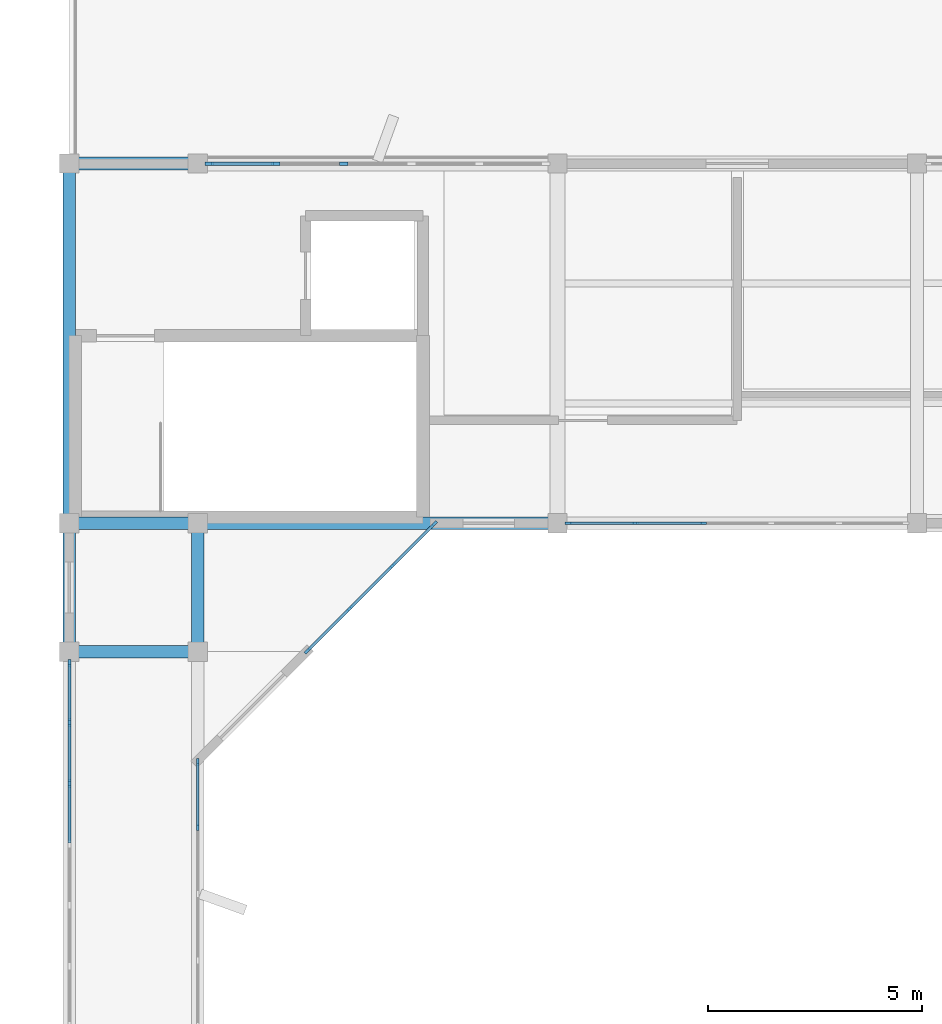
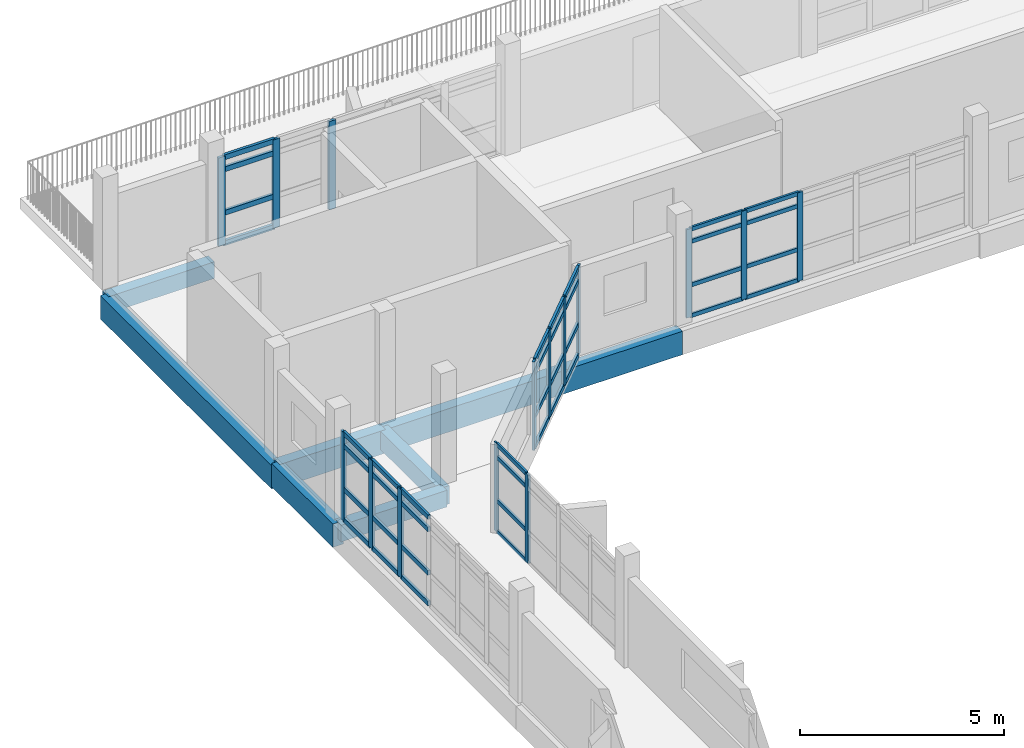
# One storey, part 7 of 33: 55 members, 7 beams, 5 elements without a shape of their own.
"""IFC4 building model written with IfcOpenShell, lengths in metres."""

from ifc_helpers import new_model, si_unit, direction, frame, origin, origin_2d, place, context, subcontext, project, spatial, rectangle, extrude, material, material_profile, profile_set, type_object, element, aggregate, save


model = new_model("IFC4")

# Units and contexts
model_context = context("Model", 3, precision=1e-05, world=origin(), true_north=direction((0.0, 1.0)))
body_context = subcontext(model_context, "Body", "Model", "MODEL_VIEW")
ifc_project = project(units=[si_unit("LENGTHUNIT", "METRE"), si_unit("AREAUNIT", "SQUARE_METRE"), si_unit("VOLUMEUNIT", "CUBIC_METRE"), si_unit("PLANEANGLEUNIT", "RADIAN"), si_unit("MASSUNIT", "GRAM", prefix="KILO")], contexts=[model_context])

# Site, building, storey
site_placement = place(None, origin())
site = spatial("IfcSite", under=ifc_project, at=site_placement, CompositionType="ELEMENT")
building_placement = place(site_placement, origin())
building = spatial("IfcBuilding", under=site, at=building_placement, Name="Vanh Quang Courtyard School", CompositionType="ELEMENT")
storey_placement = place(building_placement, frame((0.0, 0.0, 18.60009765625)))
storey = spatial("IfcBuildingStorey", under=building, at=storey_placement, Name="L05", CompositionType="ELEMENT", Elevation=18.60009765625)

# Beams
ifc_material_1 = material(Name="Concrete C35/45", Category="concrete")
ifc_material_profile_1 = material_profile(ifc_material_1, rectangle(XDim=0.300048828125, YDim=0.5, at=origin_2d()), Name="RC-BM 300x500")
ifc_profile_set_1 = profile_set([ifc_material_profile_1], Name="Concrete C35/45")
beam_type_1 = type_object("IfcBeamType", Name="BM-RC-300x500", PredefinedType="BEAM", material=ifc_profile_set_1)
for number, where, z_axis, x_axis, name in (
    (1, (37.800048828125, 68.39990234375, -0.5), (1.0, 0.0, 0.0), (0.0, 1.0, 0.0), "Beam B-08 (L05)"),
    (2, (37.800048828125, 79.800048828125, -0.570068359375), (1.0, 0.0, 0.0), (0.0, 1.0, 0.0), "Beam B-08 (L05)"),
):
    element("IfcBeam", number, at=place(storey_placement, frame(where, z_axis=z_axis, x_axis=x_axis)), inside=storey, type_object=beam_type_1, Name=name, PredefinedType="BEAM", context=body_context, shape_type="SweptSolid", body=[
        extrude(rectangle(XDim=0.300048828125, YDim=0.5, at=origin_2d()), origin(), (0.0, 0.0, 1.0), 3.0),
    ])
ifc_material_profile_2 = material_profile(ifc_material_1, rectangle(XDim=0.300048828125, YDim=0.550048828125, at=origin_2d()), Name="RC-BM 300x550")
ifc_profile_set_2 = profile_set([ifc_material_profile_2], Name="Concrete C35/45")
beam_type_2 = type_object("IfcBeamType", Name="BM-RC-300x550", PredefinedType="BEAM", material=ifc_profile_set_2)
beam_1_placement = place(storey_placement, frame((40.800048828125, 68.39990234375, -0.525146484375), z_axis=(0.0, 1.0, 0.0), x_axis=(-1.0, 0.0, 0.0)))
element("IfcBeam", 3, at=beam_1_placement, inside=storey, type_object=beam_type_2, Name="Beam B-07 (L05)", PredefinedType="BEAM", context=body_context, shape_type="SweptSolid", body=[
    extrude(rectangle(XDim=0.300048828125, YDim=0.550048828125, at=origin_2d()), origin(), (0.0, 0.0, 1.0), 3.0),
])
ifc_material_profile_3 = material_profile(ifc_material_1, rectangle(XDim=0.300048828125, YDim=0.699951171875, at=origin_2d()), Name="RC-SP 300x700")
ifc_profile_set_3 = profile_set([ifc_material_profile_3], Name="Concrete C35/45")
beam_type_3 = type_object("IfcBeamType", Name="BM-SP-300x700", PredefinedType="SPANDREL", material=ifc_profile_set_3)
beam_2_placement = place(storey_placement, frame((37.800048828125, 71.39990234375, -0.60009765625), z_axis=(1.0, 0.0, 0.0), x_axis=(0.0, 1.0, 0.0)))
element("IfcBeam", 4, at=beam_2_placement, inside=storey, type_object=beam_type_3, Name="Beam BS-01 (L05)", PredefinedType="SPANDREL", context=body_context, shape_type="SweptSolid", body=[
    extrude(rectangle(XDim=0.300048828125, YDim=0.699951171875, at=origin_2d()), origin(), (0.0, 0.0, 1.0), 3.0),
])
beam_3_placement = place(storey_placement, frame((40.800048828125, 71.39990234375, -0.60009765625), z_axis=(1.0, 0.0, 0.0), x_axis=(0.0, 1.0, 0.0)))
element("IfcBeam", 5, at=beam_3_placement, inside=storey, type_object=beam_type_3, Name="Beam BS-01 (L05)", PredefinedType="SPANDREL", context=body_context, shape_type="SweptSolid", body=[
    extrude(rectangle(XDim=0.300048828125, YDim=0.699951171875, at=origin_2d()), origin(), (0.0, 0.0, 1.0), 8.39990234375),
])
beam_4_placement = place(storey_placement, frame((37.800048828125, 68.39990234375, -0.60009765625), z_axis=(0.0, 1.0, 0.0), x_axis=(-1.0, 0.0, 0.0)))
element("IfcBeam", 6, at=beam_4_placement, inside=storey, type_object=beam_type_3, Name="Beam BS-01 (L05)", PredefinedType="SPANDREL", context=body_context, shape_type="SweptSolid", body=[
    extrude(rectangle(XDim=0.300048828125, YDim=0.699951171875, at=origin_2d()), origin(), (0.0, 0.0, 1.0), 3.0),
])
beam_5_placement = place(storey_placement, frame((37.800048828125, 71.39990234375, -0.670166015625), z_axis=(0.0, 1.0, 0.0), x_axis=(-1.0, 0.0, 0.0)))
element("IfcBeam", 7, at=beam_5_placement, inside=storey, type_object=beam_type_3, Name="Beam BS-01 (L05)", PredefinedType="SPANDREL", context=body_context, shape_type="SweptSolid", body=[
    extrude(rectangle(XDim=0.300048828125, YDim=0.699951171875, at=origin_2d()), origin(), (0.0, 0.0, 1.0), 8.400146484375),
])

# Curtain wall, members
ifc_material_2 = material(Name="Thermally broken aluminium unitised curtain wall", Category="aluminium")
curtain_wall_type_1 = type_object("IfcCurtainWallType", Name="CW-SYS-44", PredefinedType="NOTDEFINED", material=ifc_material_2)
curtain_wall_1_placement = place(storey_placement, origin())
curtain_wall_1 = element("IfcCurtainWall", 8, at=curtain_wall_1_placement, inside=storey, type_object=curtain_wall_type_1, Name="Curtain Wall CW-44 (L05)", PredefinedType="NOTDEFINED")
ifc_material_3 = material(Name="Anodised aluminium 6063-T6", Category="aluminium")
ifc_material_profile_4 = material_profile(ifc_material_3, rectangle(XDim=0.06005859375, YDim=0.159912109375, at=origin_2d()), Name="ALU-MUL 60x160")
ifc_profile_set_4 = profile_set([ifc_material_profile_4], Name="Anodised aluminium 6063-T6")
member_type_1 = type_object("IfcMemberType", Name="CW-MUL-60x160", PredefinedType="MULLION", material=ifc_profile_set_4)
member_1_placement = place(storey_placement, frame((40.800048828125, 65.825927734375, 0.0), z_axis=(0.0, 0.0, 1.0), x_axis=(1.0, 0.0, 0.0)))
member_1 = element("IfcMember", 9, at=member_1_placement, type_object=member_type_1, Name="CW-44 mullion 1", PredefinedType="MULLION", context=body_context, shape_type="SweptSolid", body=[
    extrude(rectangle(XDim=0.06005859375, YDim=0.159912109375, at=origin_2d()), origin(), (0.0, 0.0, 1.0), 2.64990234375),
])
member_2_placement = place(storey_placement, frame((40.800048828125, 64.30029296875, 0.0), z_axis=(0.0, 0.0, 1.0), x_axis=(1.0, 0.0, 0.0)))
member_2 = element("IfcMember", 10, at=member_2_placement, type_object=member_type_1, Name="CW-44 mullion 2", PredefinedType="MULLION", context=body_context, shape_type="SweptSolid", body=[
    extrude(rectangle(XDim=0.06005859375, YDim=0.159912109375, at=origin_2d()), origin(), (0.0, 0.0, 1.0), 2.64990234375),
])

curtain_wall_type_2 = type_object("IfcCurtainWallType", Name="CW-SYS-19", PredefinedType="NOTDEFINED", material=ifc_material_2)
curtain_wall_2_placement = place(storey_placement, origin())
curtain_wall_2 = element("IfcCurtainWall", 11, at=curtain_wall_2_placement, inside=storey, type_object=curtain_wall_type_2, Name="Curtain Wall CW-19 (L05)", PredefinedType="NOTDEFINED")
member_3_placement = place(storey_placement, frame((52.606689453125, 71.39990234375, 0.0), z_axis=(0.0, 0.0, 1.0), x_axis=(0.0, -1.0, 0.0)))
member_3 = element("IfcMember", 12, at=member_3_placement, type_object=member_type_1, Name="CW-19 mullion 4", PredefinedType="MULLION", context=body_context, shape_type="SweptSolid", body=[
    extrude(rectangle(XDim=0.06005859375, YDim=0.159912109375, at=origin_2d()), origin(), (0.0, 0.0, 1.0), 2.64990234375),
])
member_4_placement = place(storey_placement, frame((51.019775390625, 71.39990234375, 0.0), z_axis=(0.0, 0.0, 1.0), x_axis=(0.0, -1.0, 0.0)))
member_4 = element("IfcMember", 13, at=member_4_placement, type_object=member_type_1, Name="CW-19 mullion 5", PredefinedType="MULLION", context=body_context, shape_type="SweptSolid", body=[
    extrude(rectangle(XDim=0.06005859375, YDim=0.159912109375, at=origin_2d()), origin(), (0.0, 0.0, 1.0), 2.64990234375),
])
member_5_placement = place(storey_placement, frame((49.462890625, 71.39990234375, 0.0), z_axis=(0.0, 0.0, 1.0), x_axis=(0.0, -1.0, 0.0)))
member_5 = element("IfcMember", 14, at=member_5_placement, type_object=member_type_1, Name="CW-19 mullion 6", PredefinedType="MULLION", context=body_context, shape_type="SweptSolid", body=[
    extrude(rectangle(XDim=0.06005859375, YDim=0.159912109375, at=origin_2d()), origin(), (0.0, 0.0, 1.0), 2.64990234375),
])

curtain_wall_type_3 = type_object("IfcCurtainWallType", Name="CW-SYS-50", PredefinedType="NOTDEFINED", material=ifc_material_2)
curtain_wall_3_placement = place(storey_placement, origin())
curtain_wall_3 = element("IfcCurtainWall", 15, at=curtain_wall_3_placement, inside=storey, type_object=curtain_wall_type_3, Name="Curtain Wall CW-50 (L05)", PredefinedType="NOTDEFINED")
ifc_material_profile_5 = material_profile(ifc_material_3, rectangle(XDim=0.070068359375, YDim=0.179931640625, at=origin_2d()), Name="ALU-MUL 70x180")
ifc_profile_set_5 = profile_set([ifc_material_profile_5], Name="Anodised aluminium 6063-T6")
member_type_2 = type_object("IfcMemberType", Name="CW-MUL-70x180", PredefinedType="MULLION", material=ifc_profile_set_5)
member_6_placement = place(storey_placement, frame((37.800048828125, 65.322265625, 0.0), z_axis=(0.0, 0.0, 1.0), x_axis=(-1.0, 0.0, 0.0)))
member_6 = element("IfcMember", 16, at=member_6_placement, type_object=member_type_2, Name="CW-50 mullion 5", PredefinedType="MULLION", context=body_context, shape_type="SweptSolid", body=[
    extrude(rectangle(XDim=0.070068359375, YDim=0.179931640625, at=origin_2d()), origin(), (0.0, 0.0, 1.0), 2.64990234375),
])
member_7_placement = place(storey_placement, frame((37.800048828125, 66.74462890625, 0.0), z_axis=(0.0, 0.0, 1.0), x_axis=(-1.0, 0.0, 0.0)))
member_7 = element("IfcMember", 17, at=member_7_placement, type_object=member_type_2, Name="CW-50 mullion 6", PredefinedType="MULLION", context=body_context, shape_type="SweptSolid", body=[
    extrude(rectangle(XDim=0.070068359375, YDim=0.179931640625, at=origin_2d()), origin(), (0.0, 0.0, 1.0), 2.64990234375),
])
member_8_placement = place(storey_placement, frame((37.800048828125, 68.132080078125, 0.0), z_axis=(0.0, 0.0, 1.0), x_axis=(-1.0, 0.0, 0.0)))
member_8 = element("IfcMember", 18, at=member_8_placement, type_object=member_type_2, Name="CW-50 mullion 7", PredefinedType="MULLION", context=body_context, shape_type="SweptSolid", body=[
    extrude(rectangle(XDim=0.070068359375, YDim=0.179931640625, at=origin_2d()), origin(), (0.0, 0.0, 1.0), 2.64990234375),
])

curtain_wall_type_4 = type_object("IfcCurtainWallType", Name="CW-SYS-39", PredefinedType="NOTDEFINED", material=ifc_material_2)
curtain_wall_4_placement = place(storey_placement, origin())
curtain_wall_4 = element("IfcCurtainWall", 19, at=curtain_wall_4_placement, inside=storey, type_object=curtain_wall_type_4, Name="Curtain Wall CW-39 (L05)", PredefinedType="NOTDEFINED")
member_9_placement = place(storey_placement, frame((46.3193359375, 71.375244140625, 0.0), z_axis=(0.0, 0.0, 1.0), x_axis=(0.707106781187, -0.707106781187, 0.0)))
member_9 = element("IfcMember", 20, at=member_9_placement, type_object=member_type_2, Name="CW-39 mullion 1", PredefinedType="MULLION", context=body_context, shape_type="SweptSolid", body=[
    extrude(rectangle(XDim=0.070068359375, YDim=0.179931640625, at=origin_2d()), origin(), (0.0, 0.0, 1.0), 2.64990234375),
])
member_10_placement = place(storey_placement, frame((45.343994140625, 70.39990234375, 0.0), z_axis=(0.0, 0.0, 1.0), x_axis=(0.707106781187, -0.707106781187, 0.0)))
member_10 = element("IfcMember", 21, at=member_10_placement, type_object=member_type_2, Name="CW-39 mullion 2", PredefinedType="MULLION", context=body_context, shape_type="SweptSolid", body=[
    extrude(rectangle(XDim=0.070068359375, YDim=0.179931640625, at=origin_2d()), origin(), (0.0, 0.0, 1.0), 2.64990234375),
])
member_11_placement = place(storey_placement, frame((44.343994140625, 69.39990234375, 0.0), z_axis=(0.0, 0.0, 1.0), x_axis=(0.707106781187, -0.707106781187, 0.0)))
member_11 = element("IfcMember", 22, at=member_11_placement, type_object=member_type_2, Name="CW-39 mullion 3", PredefinedType="MULLION", context=body_context, shape_type="SweptSolid", body=[
    extrude(rectangle(XDim=0.070068359375, YDim=0.179931640625, at=origin_2d()), origin(), (0.0, 0.0, 1.0), 2.64990234375),
])
member_12_placement = place(storey_placement, frame((43.36865234375, 68.4248046875, 0.0), z_axis=(0.0, 0.0, 1.0), x_axis=(0.707106781187, -0.707106781187, 0.0)))
member_12 = element("IfcMember", 23, at=member_12_placement, type_object=member_type_2, Name="CW-39 mullion 4", PredefinedType="MULLION", context=body_context, shape_type="SweptSolid", body=[
    extrude(rectangle(XDim=0.070068359375, YDim=0.179931640625, at=origin_2d()), origin(), (0.0, 0.0, 1.0), 2.64990234375),
])

curtain_wall_5_placement = place(storey_placement, origin())
curtain_wall_5 = element("IfcCurtainWall", 24, at=curtain_wall_5_placement, inside=storey, type_object=curtain_wall_type_2, Name="Curtain Wall CW-19 (L05)", PredefinedType="NOTDEFINED")
ifc_material_profile_6 = material_profile(ifc_material_3, rectangle(XDim=0.080078125, YDim=0.199951171875, at=origin_2d()), Name="ALU-MUL 80x200")
ifc_profile_set_6 = profile_set([ifc_material_profile_6], Name="Anodised aluminium 6063-T6")
member_type_3 = type_object("IfcMemberType", Name="CW-MUL-80x200", PredefinedType="MULLION", material=ifc_profile_set_6)
member_13_placement = place(storey_placement, frame((41.072998046875, 79.800048828125, 0.0), z_axis=(0.0, 0.0, 1.0), x_axis=(0.0, 1.0, 0.0)))
member_13 = element("IfcMember", 25, at=member_13_placement, type_object=member_type_3, Name="CW-19 mullion 1", PredefinedType="MULLION", context=body_context, shape_type="SweptSolid", body=[
    extrude(rectangle(XDim=0.080078125, YDim=0.199951171875, at=origin_2d()), origin(), (0.0, 0.0, 1.0), 2.64990234375),
])
member_14_placement = place(storey_placement, frame((42.619873046875, 79.800048828125, 0.0), z_axis=(0.0, 0.0, 1.0), x_axis=(0.0, 1.0, 0.0)))
member_14 = element("IfcMember", 26, at=member_14_placement, type_object=member_type_3, Name="CW-19 mullion 2", PredefinedType="MULLION", context=body_context, shape_type="SweptSolid", body=[
    extrude(rectangle(XDim=0.080078125, YDim=0.199951171875, at=origin_2d()), origin(), (0.0, 0.0, 1.0), 2.64990234375),
])
member_15_placement = place(storey_placement, frame((44.20654296875, 79.800048828125, 0.0), z_axis=(0.0, 0.0, 1.0), x_axis=(0.0, 1.0, 0.0)))
member_15 = element("IfcMember", 27, at=member_15_placement, type_object=member_type_3, Name="CW-19 mullion 3", PredefinedType="MULLION", context=body_context, shape_type="SweptSolid", body=[
    extrude(rectangle(XDim=0.080078125, YDim=0.199951171875, at=origin_2d()), origin(), (0.0, 0.0, 1.0), 2.64990234375),
])

# Member
ifc_material_profile_7 = material_profile(ifc_material_3, rectangle(XDim=0.06005859375, YDim=0.1201171875, at=origin_2d()), Name="ALU-TRN 60x120")
ifc_profile_set_7 = profile_set([ifc_material_profile_7], Name="Anodised aluminium 6063-T6")
member_type_4 = type_object("IfcMemberType", Name="CW-TRN-60x120", PredefinedType="USERDEFINED", material=ifc_profile_set_7)
member_16_placement = place(storey_placement, frame((40.800048828125, 65.7958984375, 0.02978515625), z_axis=(0.0, -1.0, 0.0), x_axis=(1.0, 0.0, 0.0)))
member_16 = element("IfcMember", 28, at=member_16_placement, type_object=member_type_4, Name="CW-44 transom 1.1", ObjectType="TRANSOM", PredefinedType="USERDEFINED", context=body_context, shape_type="SweptSolid", body=[
    extrude(rectangle(XDim=0.06005859375, YDim=0.1201171875, at=origin_2d()), origin(), (0.0, 0.0, 1.0), 1.465576171875),
])

member_17_placement = place(storey_placement, frame((40.800048828125, 65.7958984375, 0.949951171875), z_axis=(0.0, -1.0, 0.0), x_axis=(1.0, 0.0, 0.0)))
member_17 = element("IfcMember", 29, at=member_17_placement, type_object=member_type_4, Name="CW-44 transom 1.2", ObjectType="TRANSOM", PredefinedType="USERDEFINED", context=body_context, shape_type="SweptSolid", body=[
    extrude(rectangle(XDim=0.06005859375, YDim=0.1201171875, at=origin_2d()), origin(), (0.0, 0.0, 1.0), 1.465576171875),
])

member_18_placement = place(storey_placement, frame((40.800048828125, 65.7958984375, 2.25), z_axis=(0.0, -1.0, 0.0), x_axis=(1.0, 0.0, 0.0)))
member_18 = element("IfcMember", 30, at=member_18_placement, type_object=member_type_4, Name="CW-44 transom 1.3", ObjectType="TRANSOM", PredefinedType="USERDEFINED", context=body_context, shape_type="SweptSolid", body=[
    extrude(rectangle(XDim=0.06005859375, YDim=0.1201171875, at=origin_2d()), origin(), (0.0, 0.0, 1.0), 1.465576171875),
])

member_19_placement = place(storey_placement, frame((40.800048828125, 65.7958984375, 2.619873046875), z_axis=(0.0, -1.0, 0.0), x_axis=(1.0, 0.0, 0.0)))
member_19 = element("IfcMember", 31, at=member_19_placement, type_object=member_type_4, Name="CW-44 transom 1.4", ObjectType="TRANSOM", PredefinedType="USERDEFINED", context=body_context, shape_type="SweptSolid", body=[
    extrude(rectangle(XDim=0.06005859375, YDim=0.1201171875, at=origin_2d()), origin(), (0.0, 0.0, 1.0), 1.465576171875),
])

aggregate(curtain_wall_1, [member_1, member_2, member_16, member_17, member_18, member_19])

member_20_placement = place(storey_placement, frame((52.57666015625, 71.39990234375, 0.02978515625), z_axis=(-1.0, 0.0, 0.0), x_axis=(0.0, -1.0, 0.0)))
member_20 = element("IfcMember", 32, at=member_20_placement, type_object=member_type_4, Name="CW-19 transom 4.1", ObjectType="TRANSOM", PredefinedType="USERDEFINED", context=body_context, shape_type="SweptSolid", body=[
    extrude(rectangle(XDim=0.06005859375, YDim=0.1201171875, at=origin_2d()), origin(), (0.0, 0.0, 1.0), 1.52685546875),
])

member_21_placement = place(storey_placement, frame((52.57666015625, 71.39990234375, 0.949951171875), z_axis=(-1.0, 0.0, 0.0), x_axis=(0.0, -1.0, 0.0)))
member_21 = element("IfcMember", 33, at=member_21_placement, type_object=member_type_4, Name="CW-19 transom 4.2", ObjectType="TRANSOM", PredefinedType="USERDEFINED", context=body_context, shape_type="SweptSolid", body=[
    extrude(rectangle(XDim=0.06005859375, YDim=0.1201171875, at=origin_2d()), origin(), (0.0, 0.0, 1.0), 1.52685546875),
])

member_22_placement = place(storey_placement, frame((52.57666015625, 71.39990234375, 2.25), z_axis=(-1.0, 0.0, 0.0), x_axis=(0.0, -1.0, 0.0)))
member_22 = element("IfcMember", 34, at=member_22_placement, type_object=member_type_4, Name="CW-19 transom 4.3", ObjectType="TRANSOM", PredefinedType="USERDEFINED", context=body_context, shape_type="SweptSolid", body=[
    extrude(rectangle(XDim=0.06005859375, YDim=0.1201171875, at=origin_2d()), origin(), (0.0, 0.0, 1.0), 1.52685546875),
])

member_23_placement = place(storey_placement, frame((52.57666015625, 71.39990234375, 2.619873046875), z_axis=(-1.0, 0.0, 0.0), x_axis=(0.0, -1.0, 0.0)))
member_23 = element("IfcMember", 35, at=member_23_placement, type_object=member_type_4, Name="CW-19 transom 4.4", ObjectType="TRANSOM", PredefinedType="USERDEFINED", context=body_context, shape_type="SweptSolid", body=[
    extrude(rectangle(XDim=0.06005859375, YDim=0.1201171875, at=origin_2d()), origin(), (0.0, 0.0, 1.0), 1.52685546875),
])

member_24_placement = place(storey_placement, frame((50.98974609375, 71.39990234375, 0.02978515625), z_axis=(-1.0, 0.0, 0.0), x_axis=(0.0, -1.0, 0.0)))
member_24 = element("IfcMember", 36, at=member_24_placement, type_object=member_type_4, Name="CW-19 transom 5.1", ObjectType="TRANSOM", PredefinedType="USERDEFINED", context=body_context, shape_type="SweptSolid", body=[
    extrude(rectangle(XDim=0.06005859375, YDim=0.1201171875, at=origin_2d()), origin(), (0.0, 0.0, 1.0), 1.496826171875),
])

member_25_placement = place(storey_placement, frame((50.98974609375, 71.39990234375, 0.949951171875), z_axis=(-1.0, 0.0, 0.0), x_axis=(0.0, -1.0, 0.0)))
member_25 = element("IfcMember", 37, at=member_25_placement, type_object=member_type_4, Name="CW-19 transom 5.2", ObjectType="TRANSOM", PredefinedType="USERDEFINED", context=body_context, shape_type="SweptSolid", body=[
    extrude(rectangle(XDim=0.06005859375, YDim=0.1201171875, at=origin_2d()), origin(), (0.0, 0.0, 1.0), 1.496826171875),
])

member_26_placement = place(storey_placement, frame((50.98974609375, 71.39990234375, 2.25), z_axis=(-1.0, 0.0, 0.0), x_axis=(0.0, -1.0, 0.0)))
member_26 = element("IfcMember", 38, at=member_26_placement, type_object=member_type_4, Name="CW-19 transom 5.3", ObjectType="TRANSOM", PredefinedType="USERDEFINED", context=body_context, shape_type="SweptSolid", body=[
    extrude(rectangle(XDim=0.06005859375, YDim=0.1201171875, at=origin_2d()), origin(), (0.0, 0.0, 1.0), 1.496826171875),
])

member_27_placement = place(storey_placement, frame((50.98974609375, 71.39990234375, 2.619873046875), z_axis=(-1.0, 0.0, 0.0), x_axis=(0.0, -1.0, 0.0)))
member_27 = element("IfcMember", 39, at=member_27_placement, type_object=member_type_4, Name="CW-19 transom 5.4", ObjectType="TRANSOM", PredefinedType="USERDEFINED", context=body_context, shape_type="SweptSolid", body=[
    extrude(rectangle(XDim=0.06005859375, YDim=0.1201171875, at=origin_2d()), origin(), (0.0, 0.0, 1.0), 1.496826171875),
])

aggregate(curtain_wall_2, [member_3, member_4, member_5, member_20, member_21, member_22, member_23, member_24, member_25, member_26, member_27])

ifc_material_profile_8 = material_profile(ifc_material_3, rectangle(XDim=0.070068359375, YDim=0.139892578125, at=origin_2d()), Name="ALU-TRN 70x140")
ifc_profile_set_8 = profile_set([ifc_material_profile_8], Name="Anodised aluminium 6063-T6")
member_type_5 = type_object("IfcMemberType", Name="CW-TRN-70x140", PredefinedType="USERDEFINED", material=ifc_profile_set_8)
member_28_placement = place(storey_placement, frame((37.800048828125, 63.93505859375, 0.034912109375), z_axis=(0.0, 1.0, 0.0), x_axis=(-1.0, 0.0, 0.0)))
member_28 = element("IfcMember", 40, at=member_28_placement, type_object=member_type_5, Name="CW-50 transom 4.1", ObjectType="TRANSOM", PredefinedType="USERDEFINED", context=body_context, shape_type="SweptSolid", body=[
    extrude(rectangle(XDim=0.070068359375, YDim=0.139892578125, at=origin_2d()), origin(), (0.0, 0.0, 1.0), 1.352294921875),
])

member_29_placement = place(storey_placement, frame((37.800048828125, 63.93505859375, 0.949951171875), z_axis=(0.0, 1.0, 0.0), x_axis=(-1.0, 0.0, 0.0)))
member_29 = element("IfcMember", 41, at=member_29_placement, type_object=member_type_5, Name="CW-50 transom 4.2", ObjectType="TRANSOM", PredefinedType="USERDEFINED", context=body_context, shape_type="SweptSolid", body=[
    extrude(rectangle(XDim=0.070068359375, YDim=0.139892578125, at=origin_2d()), origin(), (0.0, 0.0, 1.0), 1.352294921875),
])

member_30_placement = place(storey_placement, frame((37.800048828125, 63.93505859375, 2.25), z_axis=(0.0, 1.0, 0.0), x_axis=(-1.0, 0.0, 0.0)))
member_30 = element("IfcMember", 42, at=member_30_placement, type_object=member_type_5, Name="CW-50 transom 4.3", ObjectType="TRANSOM", PredefinedType="USERDEFINED", context=body_context, shape_type="SweptSolid", body=[
    extrude(rectangle(XDim=0.070068359375, YDim=0.139892578125, at=origin_2d()), origin(), (0.0, 0.0, 1.0), 1.352294921875),
])

member_31_placement = place(storey_placement, frame((37.800048828125, 63.93505859375, 2.614990234375), z_axis=(0.0, 1.0, 0.0), x_axis=(-1.0, 0.0, 0.0)))
member_31 = element("IfcMember", 43, at=member_31_placement, type_object=member_type_5, Name="CW-50 transom 4.4", ObjectType="TRANSOM", PredefinedType="USERDEFINED", context=body_context, shape_type="SweptSolid", body=[
    extrude(rectangle(XDim=0.070068359375, YDim=0.139892578125, at=origin_2d()), origin(), (0.0, 0.0, 1.0), 1.352294921875),
])

member_32_placement = place(storey_placement, frame((37.800048828125, 65.357421875, 0.034912109375), z_axis=(0.0, 1.0, 0.0), x_axis=(-1.0, 0.0, 0.0)))
member_32 = element("IfcMember", 44, at=member_32_placement, type_object=member_type_5, Name="CW-50 transom 5.1", ObjectType="TRANSOM", PredefinedType="USERDEFINED", context=body_context, shape_type="SweptSolid", body=[
    extrude(rectangle(XDim=0.070068359375, YDim=0.139892578125, at=origin_2d()), origin(), (0.0, 0.0, 1.0), 1.352294921875),
])

member_33_placement = place(storey_placement, frame((37.800048828125, 65.357421875, 0.949951171875), z_axis=(0.0, 1.0, 0.0), x_axis=(-1.0, 0.0, 0.0)))
member_33 = element("IfcMember", 45, at=member_33_placement, type_object=member_type_5, Name="CW-50 transom 5.2", ObjectType="TRANSOM", PredefinedType="USERDEFINED", context=body_context, shape_type="SweptSolid", body=[
    extrude(rectangle(XDim=0.070068359375, YDim=0.139892578125, at=origin_2d()), origin(), (0.0, 0.0, 1.0), 1.352294921875),
])

member_34_placement = place(storey_placement, frame((37.800048828125, 65.357421875, 2.25), z_axis=(0.0, 1.0, 0.0), x_axis=(-1.0, 0.0, 0.0)))
member_34 = element("IfcMember", 46, at=member_34_placement, type_object=member_type_5, Name="CW-50 transom 5.3", ObjectType="TRANSOM", PredefinedType="USERDEFINED", context=body_context, shape_type="SweptSolid", body=[
    extrude(rectangle(XDim=0.070068359375, YDim=0.139892578125, at=origin_2d()), origin(), (0.0, 0.0, 1.0), 1.352294921875),
])

member_35_placement = place(storey_placement, frame((37.800048828125, 65.357421875, 2.614990234375), z_axis=(0.0, 1.0, 0.0), x_axis=(-1.0, 0.0, 0.0)))
member_35 = element("IfcMember", 47, at=member_35_placement, type_object=member_type_5, Name="CW-50 transom 5.4", ObjectType="TRANSOM", PredefinedType="USERDEFINED", context=body_context, shape_type="SweptSolid", body=[
    extrude(rectangle(XDim=0.070068359375, YDim=0.139892578125, at=origin_2d()), origin(), (0.0, 0.0, 1.0), 1.352294921875),
])

member_36_placement = place(storey_placement, frame((37.800048828125, 66.77978515625, 0.034912109375), z_axis=(0.0, 1.0, 0.0), x_axis=(-1.0, 0.0, 0.0)))
member_36 = element("IfcMember", 48, at=member_36_placement, type_object=member_type_5, Name="CW-50 transom 6.1", ObjectType="TRANSOM", PredefinedType="USERDEFINED", context=body_context, shape_type="SweptSolid", body=[
    extrude(rectangle(XDim=0.070068359375, YDim=0.139892578125, at=origin_2d()), origin(), (0.0, 0.0, 1.0), 1.317138671875),
])

member_37_placement = place(storey_placement, frame((37.800048828125, 66.77978515625, 0.949951171875), z_axis=(0.0, 1.0, 0.0), x_axis=(-1.0, 0.0, 0.0)))
member_37 = element("IfcMember", 49, at=member_37_placement, type_object=member_type_5, Name="CW-50 transom 6.2", ObjectType="TRANSOM", PredefinedType="USERDEFINED", context=body_context, shape_type="SweptSolid", body=[
    extrude(rectangle(XDim=0.070068359375, YDim=0.139892578125, at=origin_2d()), origin(), (0.0, 0.0, 1.0), 1.317138671875),
])

member_38_placement = place(storey_placement, frame((37.800048828125, 66.77978515625, 2.25), z_axis=(0.0, 1.0, 0.0), x_axis=(-1.0, 0.0, 0.0)))
member_38 = element("IfcMember", 50, at=member_38_placement, type_object=member_type_5, Name="CW-50 transom 6.3", ObjectType="TRANSOM", PredefinedType="USERDEFINED", context=body_context, shape_type="SweptSolid", body=[
    extrude(rectangle(XDim=0.070068359375, YDim=0.139892578125, at=origin_2d()), origin(), (0.0, 0.0, 1.0), 1.317138671875),
])

member_39_placement = place(storey_placement, frame((37.800048828125, 66.77978515625, 2.614990234375), z_axis=(0.0, 1.0, 0.0), x_axis=(-1.0, 0.0, 0.0)))
member_39 = element("IfcMember", 51, at=member_39_placement, type_object=member_type_5, Name="CW-50 transom 6.4", ObjectType="TRANSOM", PredefinedType="USERDEFINED", context=body_context, shape_type="SweptSolid", body=[
    extrude(rectangle(XDim=0.070068359375, YDim=0.139892578125, at=origin_2d()), origin(), (0.0, 0.0, 1.0), 1.317138671875),
])

aggregate(curtain_wall_3, [member_6, member_7, member_8, member_28, member_29, member_30, member_31, member_32, member_33, member_34, member_35, member_36, member_37, member_38, member_39])

member_40_placement = place(storey_placement, frame((46.29443359375, 71.3505859375, 0.034912109375), z_axis=(-0.707106781187, -0.707106781187, 0.0), x_axis=(0.707106781187, -0.707106781187, 0.0)))
member_40 = element("IfcMember", 52, at=member_40_placement, type_object=member_type_5, Name="CW-39 transom 1.1", ObjectType="TRANSOM", PredefinedType="USERDEFINED", context=body_context, shape_type="SweptSolid", body=[
    extrude(rectangle(XDim=0.070068359375, YDim=0.139892578125, at=origin_2d()), origin(), (0.0, 0.0, 1.0), 1.309326171875),
])

member_41_placement = place(storey_placement, frame((46.29443359375, 71.3505859375, 0.949951171875), z_axis=(-0.707106781187, -0.707106781187, 0.0), x_axis=(0.707106781187, -0.707106781187, 0.0)))
member_41 = element("IfcMember", 53, at=member_41_placement, type_object=member_type_5, Name="CW-39 transom 1.2", ObjectType="TRANSOM", PredefinedType="USERDEFINED", context=body_context, shape_type="SweptSolid", body=[
    extrude(rectangle(XDim=0.070068359375, YDim=0.139892578125, at=origin_2d()), origin(), (0.0, 0.0, 1.0), 1.309326171875),
])

member_42_placement = place(storey_placement, frame((46.29443359375, 71.3505859375, 2.25), z_axis=(-0.707106781187, -0.707106781187, 0.0), x_axis=(0.707106781187, -0.707106781187, 0.0)))
member_42 = element("IfcMember", 54, at=member_42_placement, type_object=member_type_5, Name="CW-39 transom 1.3", ObjectType="TRANSOM", PredefinedType="USERDEFINED", context=body_context, shape_type="SweptSolid", body=[
    extrude(rectangle(XDim=0.070068359375, YDim=0.139892578125, at=origin_2d()), origin(), (0.0, 0.0, 1.0), 1.309326171875),
])

member_43_placement = place(storey_placement, frame((46.29443359375, 71.3505859375, 2.614990234375), z_axis=(-0.707106781187, -0.707106781187, 0.0), x_axis=(0.707106781187, -0.707106781187, 0.0)))
member_43 = element("IfcMember", 55, at=member_43_placement, type_object=member_type_5, Name="CW-39 transom 1.4", ObjectType="TRANSOM", PredefinedType="USERDEFINED", context=body_context, shape_type="SweptSolid", body=[
    extrude(rectangle(XDim=0.070068359375, YDim=0.139892578125, at=origin_2d()), origin(), (0.0, 0.0, 1.0), 1.309326171875),
])

member_44_placement = place(storey_placement, frame((45.3193359375, 70.375244140625, 0.034912109375), z_axis=(-0.707197581414, -0.707015969298, 0.0), x_axis=(0.707015969298, -0.707197581414, 0.0)))
member_44 = element("IfcMember", 56, at=member_44_placement, type_object=member_type_5, Name="CW-39 transom 2.1", ObjectType="TRANSOM", PredefinedType="USERDEFINED", context=body_context, shape_type="SweptSolid", body=[
    extrude(rectangle(XDim=0.070068359375, YDim=0.139892578125, at=origin_2d()), origin(), (0.0, 0.0, 1.0), 1.34423828125),
])

member_45_placement = place(storey_placement, frame((45.3193359375, 70.375244140625, 0.949951171875), z_axis=(-0.707197581414, -0.707015969298, 0.0), x_axis=(0.707015969298, -0.707197581414, 0.0)))
member_45 = element("IfcMember", 57, at=member_45_placement, type_object=member_type_5, Name="CW-39 transom 2.2", ObjectType="TRANSOM", PredefinedType="USERDEFINED", context=body_context, shape_type="SweptSolid", body=[
    extrude(rectangle(XDim=0.070068359375, YDim=0.139892578125, at=origin_2d()), origin(), (0.0, 0.0, 1.0), 1.34423828125),
])

member_46_placement = place(storey_placement, frame((45.3193359375, 70.375244140625, 2.25), z_axis=(-0.707197581414, -0.707015969298, 0.0), x_axis=(0.707015969298, -0.707197581414, 0.0)))
member_46 = element("IfcMember", 58, at=member_46_placement, type_object=member_type_5, Name="CW-39 transom 2.3", ObjectType="TRANSOM", PredefinedType="USERDEFINED", context=body_context, shape_type="SweptSolid", body=[
    extrude(rectangle(XDim=0.070068359375, YDim=0.139892578125, at=origin_2d()), origin(), (0.0, 0.0, 1.0), 1.34423828125),
])

member_47_placement = place(storey_placement, frame((45.3193359375, 70.375244140625, 2.614990234375), z_axis=(-0.707197581414, -0.707015969298, 0.0), x_axis=(0.707015969298, -0.707197581414, 0.0)))
member_47 = element("IfcMember", 59, at=member_47_placement, type_object=member_type_5, Name="CW-39 transom 2.4", ObjectType="TRANSOM", PredefinedType="USERDEFINED", context=body_context, shape_type="SweptSolid", body=[
    extrude(rectangle(XDim=0.070068359375, YDim=0.139892578125, at=origin_2d()), origin(), (0.0, 0.0, 1.0), 1.34423828125),
])

member_48_placement = place(storey_placement, frame((44.3193359375, 69.375244140625, 0.034912109375), z_axis=(-0.707106781187, -0.707106781187, 0.0), x_axis=(0.707106781187, -0.707106781187, 0.0)))
member_48 = element("IfcMember", 60, at=member_48_placement, type_object=member_type_5, Name="CW-39 transom 3.1", ObjectType="TRANSOM", PredefinedType="USERDEFINED", context=body_context, shape_type="SweptSolid", body=[
    extrude(rectangle(XDim=0.070068359375, YDim=0.139892578125, at=origin_2d()), origin(), (0.0, 0.0, 1.0), 1.309326171875),
])

member_49_placement = place(storey_placement, frame((44.3193359375, 69.375244140625, 0.949951171875), z_axis=(-0.707106781187, -0.707106781187, 0.0), x_axis=(0.707106781187, -0.707106781187, 0.0)))
member_49 = element("IfcMember", 61, at=member_49_placement, type_object=member_type_5, Name="CW-39 transom 3.2", ObjectType="TRANSOM", PredefinedType="USERDEFINED", context=body_context, shape_type="SweptSolid", body=[
    extrude(rectangle(XDim=0.070068359375, YDim=0.139892578125, at=origin_2d()), origin(), (0.0, 0.0, 1.0), 1.309326171875),
])

member_50_placement = place(storey_placement, frame((44.3193359375, 69.375244140625, 2.25), z_axis=(-0.707106781187, -0.707106781187, 0.0), x_axis=(0.707106781187, -0.707106781187, 0.0)))
member_50 = element("IfcMember", 62, at=member_50_placement, type_object=member_type_5, Name="CW-39 transom 3.3", ObjectType="TRANSOM", PredefinedType="USERDEFINED", context=body_context, shape_type="SweptSolid", body=[
    extrude(rectangle(XDim=0.070068359375, YDim=0.139892578125, at=origin_2d()), origin(), (0.0, 0.0, 1.0), 1.309326171875),
])

member_51_placement = place(storey_placement, frame((44.3193359375, 69.375244140625, 2.614990234375), z_axis=(-0.707106781187, -0.707106781187, 0.0), x_axis=(0.707106781187, -0.707106781187, 0.0)))
member_51 = element("IfcMember", 63, at=member_51_placement, type_object=member_type_5, Name="CW-39 transom 3.4", ObjectType="TRANSOM", PredefinedType="USERDEFINED", context=body_context, shape_type="SweptSolid", body=[
    extrude(rectangle(XDim=0.070068359375, YDim=0.139892578125, at=origin_2d()), origin(), (0.0, 0.0, 1.0), 1.309326171875),
])

aggregate(curtain_wall_4, [member_9, member_10, member_11, member_12, member_40, member_41, member_42, member_43, member_44, member_45, member_46, member_47, member_48, member_49, member_50, member_51])

ifc_material_profile_9 = material_profile(ifc_material_3, rectangle(XDim=0.080078125, YDim=0.14990234375, at=origin_2d()), Name="ALU-TRN 80x150")
ifc_profile_set_9 = profile_set([ifc_material_profile_9], Name="Anodised aluminium 6063-T6")
member_type_6 = type_object("IfcMemberType", Name="CW-TRN-80x150", PredefinedType="USERDEFINED", material=ifc_profile_set_9)
member_52_placement = place(storey_placement, frame((41.113037109375, 79.800048828125, 0.039794921875), z_axis=(1.0, 0.0, 0.0), x_axis=(0.0, 1.0, 0.0)))
member_52 = element("IfcMember", 64, at=member_52_placement, type_object=member_type_6, Name="CW-19 transom 1.1", ObjectType="TRANSOM", PredefinedType="USERDEFINED", context=body_context, shape_type="SweptSolid", body=[
    extrude(rectangle(XDim=0.080078125, YDim=0.14990234375, at=origin_2d()), origin(), (0.0, 0.0, 1.0), 1.466796875),
])

member_53_placement = place(storey_placement, frame((41.113037109375, 79.800048828125, 0.949951171875), z_axis=(1.0, 0.0, 0.0), x_axis=(0.0, 1.0, 0.0)))
member_53 = element("IfcMember", 65, at=member_53_placement, type_object=member_type_6, Name="CW-19 transom 1.2", ObjectType="TRANSOM", PredefinedType="USERDEFINED", context=body_context, shape_type="SweptSolid", body=[
    extrude(rectangle(XDim=0.080078125, YDim=0.14990234375, at=origin_2d()), origin(), (0.0, 0.0, 1.0), 1.466796875),
])

member_54_placement = place(storey_placement, frame((41.113037109375, 79.800048828125, 2.25), z_axis=(1.0, 0.0, 0.0), x_axis=(0.0, 1.0, 0.0)))
member_54 = element("IfcMember", 66, at=member_54_placement, type_object=member_type_6, Name="CW-19 transom 1.3", ObjectType="TRANSOM", PredefinedType="USERDEFINED", context=body_context, shape_type="SweptSolid", body=[
    extrude(rectangle(XDim=0.080078125, YDim=0.14990234375, at=origin_2d()), origin(), (0.0, 0.0, 1.0), 1.466796875),
])

member_55_placement = place(storey_placement, frame((41.113037109375, 79.800048828125, 2.60986328125), z_axis=(1.0, 0.0, 0.0), x_axis=(0.0, 1.0, 0.0)))
member_55 = element("IfcMember", 67, at=member_55_placement, type_object=member_type_6, Name="CW-19 transom 1.4", ObjectType="TRANSOM", PredefinedType="USERDEFINED", context=body_context, shape_type="SweptSolid", body=[
    extrude(rectangle(XDim=0.080078125, YDim=0.14990234375, at=origin_2d()), origin(), (0.0, 0.0, 1.0), 1.466796875),
])

aggregate(curtain_wall_5, [member_13, member_14, member_15, member_52, member_53, member_54, member_55])

save(model, "model.ifc")
